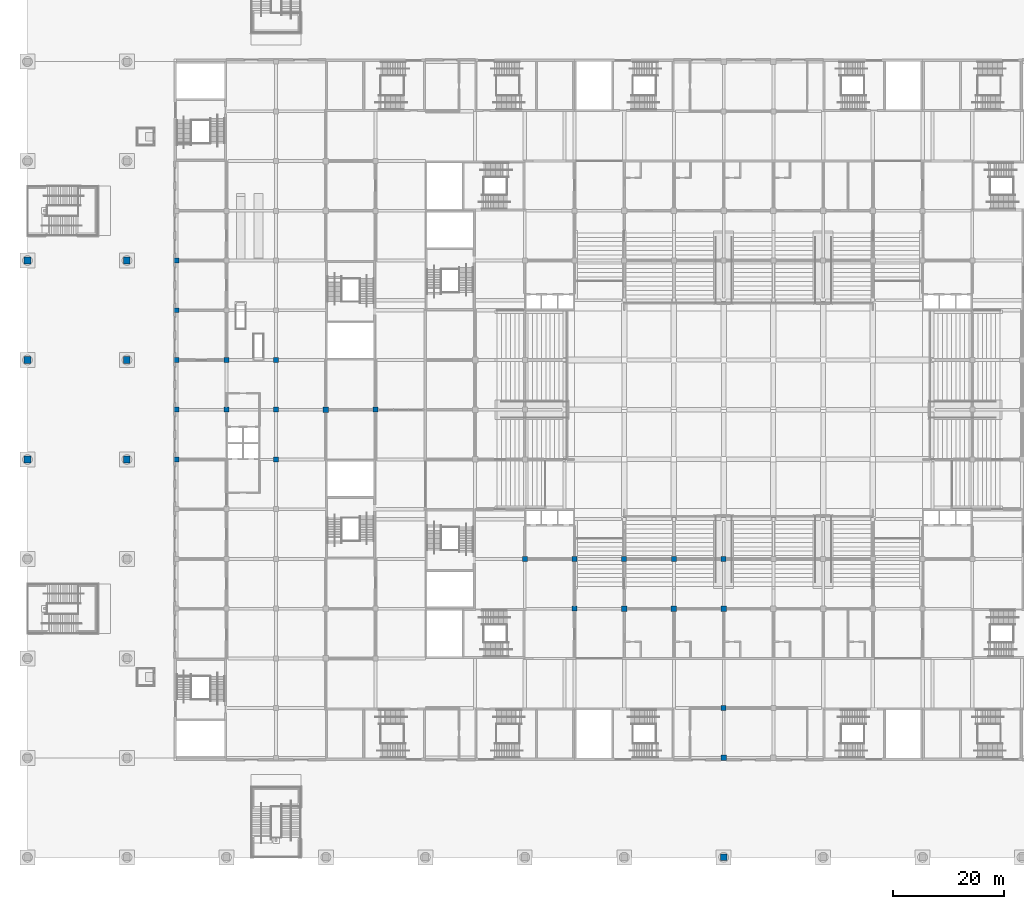
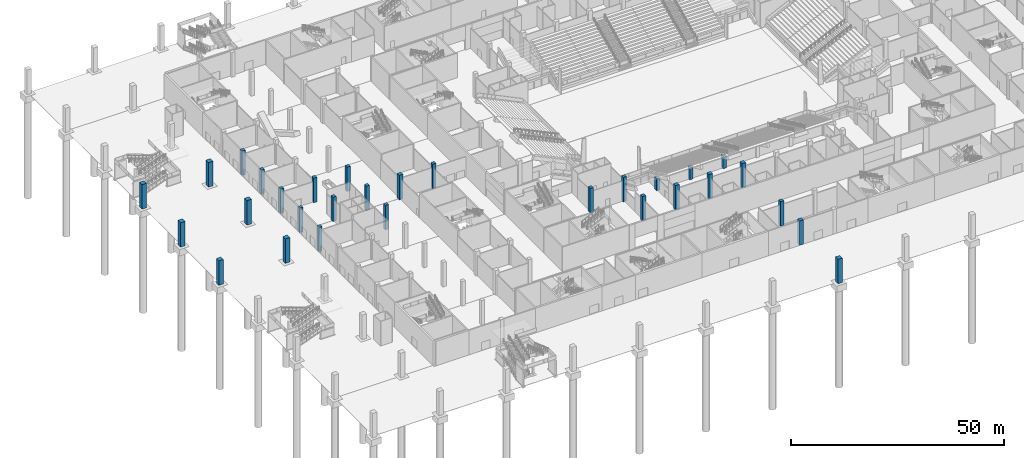
# One storey, part 3 of 92: 30 columns.
"""IFC4 building model written with IfcOpenShell, lengths in metres."""

from ifc_helpers import new_model, si_unit, direction, frame, origin, origin_2d, place, context, subcontext, project, spatial, rectangle, extrude, material, material_profile, profile_set, type_object, element, save


model = new_model("IFC4")

# Units and contexts
model_context = context("Model", 3, precision=1e-05, world=origin(), true_north=direction((0.0, 1.0)))
body_context = subcontext(model_context, "Body", "Model", "MODEL_VIEW")
ifc_project = project(units=[si_unit("LENGTHUNIT", "METRE"), si_unit("AREAUNIT", "SQUARE_METRE"), si_unit("VOLUMEUNIT", "CUBIC_METRE"), si_unit("PLANEANGLEUNIT", "RADIAN"), si_unit("MASSUNIT", "GRAM", prefix="KILO")], contexts=[model_context])

# Site, building, storey
site_placement = place(None, origin())
site = spatial("IfcSite", under=ifc_project, at=site_placement, CompositionType="ELEMENT")
building_placement = place(site_placement, origin())
building = spatial("IfcBuilding", under=site, at=building_placement, Name="Silverbay Arena", CompositionType="ELEMENT")
storey_placement = place(building_placement, origin())
storey = spatial("IfcBuildingStorey", under=building, at=storey_placement, Name="L00", CompositionType="ELEMENT", Elevation=0.0)

# Columns
ifc_material_1 = material(Name="Concrete Grade 60", Category="concrete")
ifc_material_profile_1 = material_profile(ifc_material_1, rectangle(XDim=1.0, YDim=1.0, at=origin_2d()), Name="RC 1000x1000")
ifc_profile_set_1 = profile_set([ifc_material_profile_1], Name="Concrete Grade 60")
column_type_1 = type_object("IfcColumnType", Name="RC column 1000x1000", PredefinedType="COLUMN", material=ifc_profile_set_1)
for number, where, z_axis, x_axis, name in (
    (1, (126.0, 18.0, 0.0), (0.0, 0.0, 1.0), (1.0, 0.0, 0.0), "Column 15/C L00"),
    (2, (54.0, 81.0, 0.0), (0.0, 0.0, 1.0), (1.0, 0.0, 0.0), "Column 7/K L00"),
    (3, (108.0, 45.0, 0.0), (0.0, 0.0, 1.0), (1.0, 0.0, 0.0), "Column 13/F L00"),
    (4, (117.0, 45.0, 0.0), (0.0, 0.0, 1.0), (1.0, 0.0, 0.0), "Column 14/F L00"),
    (5, (126.0, 45.0, 0.0), (0.0, 0.0, 1.0), (1.0, 0.0, 0.0), "Column 15/F L00"),
):
    element("IfcColumn", number, at=place(storey_placement, frame(where, z_axis=z_axis, x_axis=x_axis)), inside=storey, type_object=column_type_1, Name=name, PredefinedType="COLUMN", context=body_context, shape_type="SweptSolid", body=[
        extrude(rectangle(XDim=1.0, YDim=1.0, at=origin_2d()), origin(), (0.0, 0.0, 1.0), 7.0),
    ])
ifc_material_2 = material(Name="Concrete Grade 60", Category="concrete")
ifc_material_profile_2 = material_profile(ifc_material_2, rectangle(XDim=1.199951171875, YDim=1.199951171875, at=origin_2d()), Name="RC 1200x1200")
ifc_profile_set_2 = profile_set([ifc_material_profile_2], Name="Concrete Grade 60")
column_type_2 = type_object("IfcColumnType", Name="RC column 1200x1200", PredefinedType="COLUMN", material=ifc_profile_set_2)
for number, where, z_axis, x_axis, name in (
    (6, (0.0, 72.0, 0.0), (0.0, 0.0, 1.0), (1.0, 0.0, 0.0), "Column 1/J L00"),
    (7, (18.0, 72.0, 0.0), (0.0, 0.0, 1.0), (1.0, 0.0, 0.0), "Column 3/J L00"),
    (8, (0.0, 90.0, 0.0), (0.0, 0.0, 1.0), (1.0, 0.0, 0.0), "Column 1/L L00"),
    (9, (18.0, 90.0, 0.0), (0.0, 0.0, 1.0), (1.0, 0.0, 0.0), "Column 3/L L00"),
    (10, (0.0, 108.0, 0.0), (0.0, 0.0, 1.0), (1.0, 0.0, 0.0), "Column 1/N L00"),
    (11, (18.0, 108.0, 0.0), (0.0, 0.0, 1.0), (1.0, 0.0, 0.0), "Column 3/N L00"),
    (12, (126.0, 0.0, 0.0), (0.0, 0.0, 1.0), (1.0, 0.0, 0.0), "Column 15/A L00"),
):
    element("IfcColumn", number, at=place(storey_placement, frame(where, z_axis=z_axis, x_axis=x_axis)), inside=storey, type_object=column_type_2, Name=name, PredefinedType="COLUMN", context=body_context, shape_type="SweptSolid", body=[
        extrude(rectangle(XDim=1.199951171875, YDim=1.199951171875, at=origin_2d()), origin(), (0.0, 0.0, 1.0), 7.0),
    ])
ifc_material_3 = material(Name="Concrete Grade C45", Category="concrete")
ifc_material_profile_3 = material_profile(ifc_material_3, rectangle(XDim=0.89990234375, YDim=0.89990234375, at=origin_2d()), Name="RC 900x900")
ifc_profile_set_3 = profile_set([ifc_material_profile_3], Name="Concrete Grade C45")
column_type_3 = type_object("IfcColumnType", Name="RC column 900x900", PredefinedType="COLUMN", material=ifc_profile_set_3)
for number, where, z_axis, x_axis, name in (
    (13, (126.0, 27.0, 0.0), (0.0, 0.0, 1.0), (1.0, 0.0, 0.0), "Column 15/D L00"),
    (14, (63.0, 81.0, 0.0), (0.0, 0.0, 1.0), (1.0, 0.0, 0.0), "Column 8/K L00"),
    (15, (27.0, 72.0, 0.0), (0.0, 0.0, 1.0), (1.0, 0.0, 0.0), "Column 4/J L00"),
    (16, (27.0, 81.0, 0.0), (0.0, 0.0, 1.0), (1.0, 0.0, 0.0), "Column 4/K L00"),
    (17, (27.0, 90.0, 0.0), (0.0, 0.0, 1.0), (1.0, 0.0, 0.0), "Column 4/L L00"),
    (18, (27.0, 99.0, 0.0), (0.0, 0.0, 1.0), (1.0, 0.0, 0.0), "Column 4/M L00"),
    (19, (27.0, 108.0, 0.0), (0.0, 0.0, 1.0), (1.0, 0.0, 0.0), "Column 4/N L00"),
    (20, (36.0, 81.0, 0.0), (0.0, 0.0, 1.0), (1.0, 0.0, 0.0), "Column 5/K L00"),
    (21, (36.0, 90.0, 0.0), (0.0, 0.0, 1.0), (1.0, 0.0, 0.0), "Column 5/L L00"),
    (22, (45.0, 72.0, 0.0), (0.0, 0.0, 1.0), (1.0, 0.0, 0.0), "Column 6/J L00"),
    (23, (45.0, 81.0, 0.0), (0.0, 0.0, 1.0), (1.0, 0.0, 0.0), "Column 6/K L00"),
    (24, (45.0, 90.0, 0.0), (0.0, 0.0, 1.0), (1.0, 0.0, 0.0), "Column 6/L L00"),
    (25, (90.0, 54.0, 0.0), (0.0, 0.0, 1.0), (1.0, 0.0, 0.0), "Column 11/G L00"),
    (26, (99.0, 45.0, 0.0), (0.0, 0.0, 1.0), (1.0, 0.0, 0.0), "Column 12/F L00"),
    (27, (99.0, 54.0, 0.0), (0.0, 0.0, 1.0), (1.0, 0.0, 0.0), "Column 12/G L00"),
):
    element("IfcColumn", number, at=place(storey_placement, frame(where, z_axis=z_axis, x_axis=x_axis)), inside=storey, type_object=column_type_3, Name=name, PredefinedType="COLUMN", context=body_context, shape_type="SweptSolid", body=[
        extrude(rectangle(XDim=0.89990234375, YDim=0.89990234375, at=origin_2d()), origin(), (0.0, 0.0, 1.0), 7.0),
    ])
for number, where, z_axis, x_axis, name in (
    (28, (108.0, 54.0, 0.0), (0.0, 0.0, 1.0), (1.0, 0.0, 0.0), "Column 13/G L00"),
    (29, (117.0, 54.0, 0.0), (0.0, 0.0, 1.0), (1.0, 0.0, 0.0), "Column 14/G L00"),
):
    element("IfcColumn", number, at=place(storey_placement, frame(where, z_axis=z_axis, x_axis=x_axis)), inside=storey, type_object=column_type_3, Name=name, PredefinedType="COLUMN", context=body_context, shape_type="SweptSolid", body=[
        extrude(rectangle(XDim=0.89990234375, YDim=0.89990234375, at=origin_2d()), origin(), (0.0, 0.0, 1.0), 3.5517578125),
    ])
column_placement = place(storey_placement, frame((126.0, 54.0, 0.0), z_axis=(0.0, 0.0, 1.0), x_axis=(1.0, 0.0, 0.0)))
element("IfcColumn", 30, at=column_placement, inside=storey, type_object=column_type_3, Name="Column 15/G L00", PredefinedType="COLUMN", context=body_context, shape_type="SweptSolid", body=[
    extrude(rectangle(XDim=0.89990234375, YDim=0.89990234375, at=origin_2d()), origin(), (0.0, 0.0, 1.0), 3.662353515625),
])

save(model, "model.ifc")
